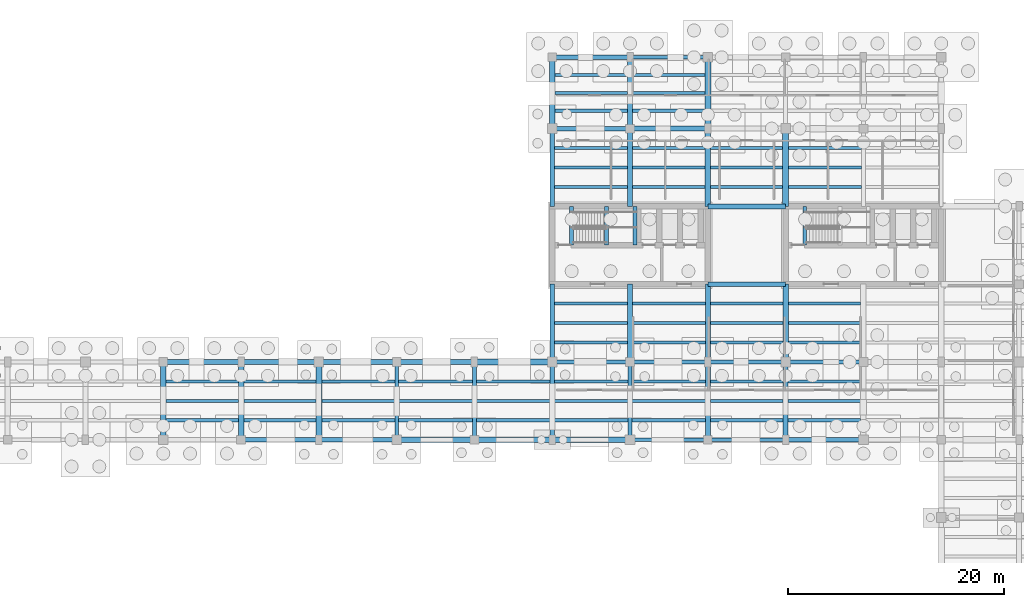
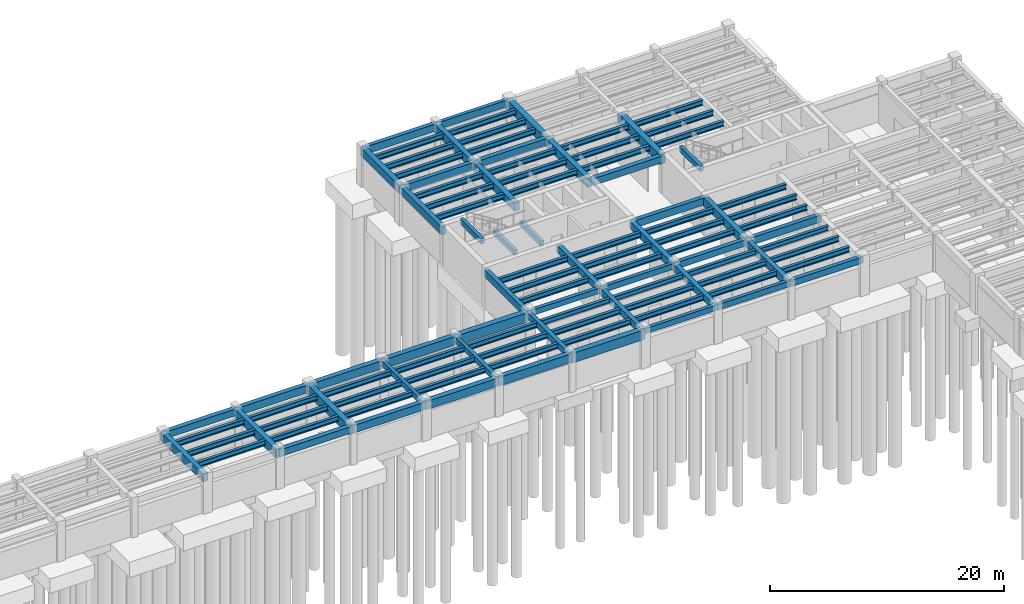
# One storey, part 8 of 22: 104 beams.
"""IFC4 building model written with IfcOpenShell, lengths in metres."""

from ifc_helpers import new_model, si_unit, direction, frame, origin, origin_2d, place, context, subcontext, project, spatial, rectangle, i_section, extrude, material, material_profile, profile_set, type_object, element, save


model = new_model("IFC4")

# Units and contexts
model_context = context("Model", 3, precision=1e-05, world=origin(), true_north=direction((0.0, 1.0)))
body_context = subcontext(model_context, "Body", "Model", "MODEL_VIEW")
ifc_project = project(units=[si_unit("LENGTHUNIT", "METRE"), si_unit("AREAUNIT", "SQUARE_METRE"), si_unit("VOLUMEUNIT", "CUBIC_METRE"), si_unit("PLANEANGLEUNIT", "RADIAN"), si_unit("MASSUNIT", "GRAM", prefix="KILO")], contexts=[model_context])

# Site, building, storey
site_placement = place(None, origin())
site = spatial("IfcSite", under=ifc_project, at=site_placement, CompositionType="ELEMENT")
building_placement = place(site_placement, origin())
building = spatial("IfcBuilding", under=site, at=building_placement, Name="Mithqara Police Headquarters", CompositionType="ELEMENT")
storey_placement = place(building_placement, frame((0.0, 0.0, -8.39990234375)))
storey = spatial("IfcBuildingStorey", under=building, at=storey_placement, Name="B2", CompositionType="ELEMENT", Elevation=-8.39990234375)

# Beams
ifc_material_1 = material(Name="Steel S355JR", Category="steel")
ifc_material_profile_1 = material_profile(ifc_material_1, i_section(OverallWidth=0.300048828125, OverallDepth=0.550048828125, WebThickness=0.014892578125, FlangeThickness=0.029052734375, FilletRadius=0.027099609375, at=origin_2d()), Name="HEB 550")
ifc_profile_set_1 = profile_set([ifc_material_profile_1], Name="Steel S355JR")
beam_type_1 = type_object("IfcBeamType", Name="BEAM HEB550", PredefinedType="BEAM", material=ifc_profile_set_1)
for number, where, z_axis, x_axis, name in (
    (1, (72.85009765625, 80.39990234375, 3.625), (1.0, 0.0, 0.0), (0.0, 1.0, 0.0), "B2 Composite Steel Joist 11-12/M.1"),
    (2, (72.85009765625, 82.199951171875, 3.625), (1.0, 0.0, 0.0), (0.0, 1.0, 0.0), "B2 Composite Steel Joist 11-12/M.2"),
    (3, (72.85009765625, 84.0, 3.625), (1.0, 0.0, 0.0), (0.0, 1.0, 0.0), "B2 Composite Steel Joist 11-12/M.3"),
):
    element("IfcBeam", number, at=place(storey_placement, frame(where, z_axis=z_axis, x_axis=x_axis)), inside=storey, type_object=beam_type_1, Name=name, PredefinedType="BEAM", context=body_context, shape_type="SweptSolid", body=[
        extrude(i_section(OverallWidth=0.300048828125, OverallDepth=0.550048828125, WebThickness=0.014892578125, FlangeThickness=0.029052734375, FilletRadius=0.027099609375, at=origin_2d()), origin(), (0.0, 0.0, 1.0), 6.699951171875),
    ])
for number, where, z_axis, x_axis, name in (
    (4, (80.050048828125, 80.39990234375, 3.625), (1.0, 0.0, 0.0), (0.0, 1.0, 0.0), "B2 Composite Steel Joist 12-13/M.1"),
    (5, (80.050048828125, 82.199951171875, 3.625), (1.0, 0.0, 0.0), (0.0, 1.0, 0.0), "B2 Composite Steel Joist 12-13/M.2"),
    (6, (80.050048828125, 84.0, 3.625), (1.0, 0.0, 0.0), (0.0, 1.0, 0.0), "B2 Composite Steel Joist 12-13/M.3"),
):
    element("IfcBeam", number, at=place(storey_placement, frame(where, z_axis=z_axis, x_axis=x_axis)), inside=storey, type_object=beam_type_1, Name=name, PredefinedType="BEAM", context=body_context, shape_type="SweptSolid", body=[
        extrude(i_section(OverallWidth=0.300048828125, OverallDepth=0.550048828125, WebThickness=0.014892578125, FlangeThickness=0.029052734375, FilletRadius=0.027099609375, at=origin_2d()), origin(), (0.0, 0.0, 1.0), 6.675048828125),
    ])
for number, where, z_axis, x_axis, name in (
    (7, (87.27490234375, 80.39990234375, 3.625), (1.0, 0.0, 0.0), (0.0, 1.0, 0.0), "B2 Composite Steel Joist 13-14/M.1"),
    (8, (87.27490234375, 82.199951171875, 3.625), (1.0, 0.0, 0.0), (0.0, 1.0, 0.0), "B2 Composite Steel Joist 13-14/M.2"),
    (9, (87.27490234375, 84.0, 3.625), (1.0, 0.0, 0.0), (0.0, 1.0, 0.0), "B2 Composite Steel Joist 13-14/M.3"),
):
    element("IfcBeam", number, at=place(storey_placement, frame(where, z_axis=z_axis, x_axis=x_axis)), inside=storey, type_object=beam_type_1, Name=name, PredefinedType="BEAM", context=body_context, shape_type="SweptSolid", body=[
        extrude(i_section(OverallWidth=0.300048828125, OverallDepth=0.550048828125, WebThickness=0.014892578125, FlangeThickness=0.029052734375, FilletRadius=0.027099609375, at=origin_2d()), origin(), (0.0, 0.0, 1.0), 6.75),
    ])
for number, where, z_axis, x_axis, name in (
    (10, (94.375, 80.39990234375, 3.625), (1.0, 0.0, 0.0), (0.0, 1.0, 0.0), "B2 Composite Steel Joist 14-15/M.1"),
    (11, (94.375, 82.199951171875, 3.625), (1.0, 0.0, 0.0), (0.0, 1.0, 0.0), "B2 Composite Steel Joist 14-15/M.2"),
    (12, (94.375, 84.0, 3.625), (1.0, 0.0, 0.0), (0.0, 1.0, 0.0), "B2 Composite Steel Joist 14-15/M.3"),
):
    element("IfcBeam", number, at=place(storey_placement, frame(where, z_axis=z_axis, x_axis=x_axis)), inside=storey, type_object=beam_type_1, Name=name, PredefinedType="BEAM", context=body_context, shape_type="SweptSolid", body=[
        extrude(i_section(OverallWidth=0.300048828125, OverallDepth=0.550048828125, WebThickness=0.014892578125, FlangeThickness=0.029052734375, FilletRadius=0.027099609375, at=origin_2d()), origin(), (0.0, 0.0, 1.0), 6.85009765625),
    ])
for number, where, z_axis, x_axis, name in (
    (13, (101.574951171875, 80.39990234375, 3.625), (1.0, 0.0, 0.0), (0.0, 1.0, 0.0), "B2 Composite Steel Joist 15-16/M.1"),
    (14, (101.574951171875, 82.199951171875, 3.625), (1.0, 0.0, 0.0), (0.0, 1.0, 0.0), "B2 Composite Steel Joist 15-16/M.2"),
    (15, (101.574951171875, 84.0, 3.625), (1.0, 0.0, 0.0), (0.0, 1.0, 0.0), "B2 Composite Steel Joist 15-16/M.3"),
):
    element("IfcBeam", number, at=place(storey_placement, frame(where, z_axis=z_axis, x_axis=x_axis)), inside=storey, type_object=beam_type_1, Name=name, PredefinedType="BEAM", context=body_context, shape_type="SweptSolid", body=[
        extrude(i_section(OverallWidth=0.300048828125, OverallDepth=0.550048828125, WebThickness=0.014892578125, FlangeThickness=0.029052734375, FilletRadius=0.027099609375, at=origin_2d()), origin(), (0.0, 0.0, 1.0), 6.824951171875),
    ])
for number, where, z_axis, x_axis, name in (
    (16, (108.800048828125, 80.39990234375, 3.625), (1.0, 0.0, 0.0), (0.0, 1.0, 0.0), "B2 Composite Steel Joist 16-17/M.1"),
    (17, (108.800048828125, 82.199951171875, 3.625), (1.0, 0.0, 0.0), (0.0, 1.0, 0.0), "B2 Composite Steel Joist 16-17/M.2"),
    (18, (108.800048828125, 84.0, 3.625), (1.0, 0.0, 0.0), (0.0, 1.0, 0.0), "B2 Composite Steel Joist 16-17/M.3"),
):
    element("IfcBeam", number, at=place(storey_placement, frame(where, z_axis=z_axis, x_axis=x_axis)), inside=storey, type_object=beam_type_1, Name=name, PredefinedType="BEAM", context=body_context, shape_type="SweptSolid", body=[
        extrude(i_section(OverallWidth=0.300048828125, OverallDepth=0.550048828125, WebThickness=0.014892578125, FlangeThickness=0.029052734375, FilletRadius=0.027099609375, at=origin_2d()), origin(), (0.0, 0.0, 1.0), 6.800048828125),
    ])
for number, where, z_axis, x_axis, name in (
    (19, (108.800048828125, 87.60009765625, 3.625), (1.0, 0.0, 0.0), (0.0, 1.0, 0.0), "B2 Composite Steel Joist 16-17/N.1"),
    (20, (108.800048828125, 89.39990234375, 3.625), (1.0, 0.0, 0.0), (0.0, 1.0, 0.0), "B2 Composite Steel Joist 16-17/N.2"),
    (21, (108.800048828125, 91.199951171875, 3.625), (1.0, 0.0, 0.0), (0.0, 1.0, 0.0), "B2 Composite Steel Joist 16-17/N.3"),
):
    element("IfcBeam", number, at=place(storey_placement, frame(where, z_axis=z_axis, x_axis=x_axis)), inside=storey, type_object=beam_type_1, Name=name, PredefinedType="BEAM", context=body_context, shape_type="SweptSolid", body=[
        extrude(i_section(OverallWidth=0.300048828125, OverallDepth=0.550048828125, WebThickness=0.014892578125, FlangeThickness=0.029052734375, FilletRadius=0.027099609375, at=origin_2d()), origin(), (0.0, 0.0, 1.0), 6.77490234375),
    ])
for number, where, z_axis, x_axis, name in (
    (22, (108.824951171875, 102.0, 3.625), (1.0, 0.0, 0.0), (0.0, 1.0, 0.0), "B2 Composite Steel Joist 16-17/Q.1"),
    (23, (108.824951171875, 103.800048828125, 3.625), (1.0, 0.0, 0.0), (0.0, 1.0, 0.0), "B2 Composite Steel Joist 16-17/Q.2"),
    (24, (108.824951171875, 105.60009765625, 3.625), (1.0, 0.0, 0.0), (0.0, 1.0, 0.0), "B2 Composite Steel Joist 16-17/Q.3"),
):
    element("IfcBeam", number, at=place(storey_placement, frame(where, z_axis=z_axis, x_axis=x_axis)), inside=storey, type_object=beam_type_1, Name=name, PredefinedType="BEAM", context=body_context, shape_type="SweptSolid", body=[
        extrude(i_section(OverallWidth=0.300048828125, OverallDepth=0.550048828125, WebThickness=0.014892578125, FlangeThickness=0.029052734375, FilletRadius=0.027099609375, at=origin_2d()), origin(), (0.0, 0.0, 1.0), 6.72509765625),
    ])
for number, where, z_axis, x_axis, name in (
    (25, (108.85009765625, 109.050048828125, 3.625), (1.0, 0.0, 0.0), (0.0, 1.0, 0.0), "B2 Composite Steel Joist 16-17/R.1"),
    (26, (108.85009765625, 110.699951171875, 3.625), (1.0, 0.0, 0.0), (0.0, 1.0, 0.0), "B2 Composite Steel Joist 16-17/R.2"),
    (27, (108.85009765625, 112.35009765625, 3.625), (1.0, 0.0, 0.0), (0.0, 1.0, 0.0), "B2 Composite Steel Joist 16-17/R.3"),
):
    element("IfcBeam", number, at=place(storey_placement, frame(where, z_axis=z_axis, x_axis=x_axis)), inside=storey, type_object=beam_type_1, Name=name, PredefinedType="BEAM", context=body_context, shape_type="SweptSolid", body=[
        extrude(i_section(OverallWidth=0.300048828125, OverallDepth=0.550048828125, WebThickness=0.014892578125, FlangeThickness=0.029052734375, FilletRadius=0.027099609375, at=origin_2d()), origin(), (0.0, 0.0, 1.0), 6.699951171875),
    ])
for number, where, z_axis, x_axis, name in (
    (28, (116.0, 80.39990234375, 3.625), (1.0, 0.0, 0.0), (0.0, 1.0, 0.0), "B2 Composite Steel Joist 17-18/M.1"),
    (29, (116.0, 82.199951171875, 3.625), (1.0, 0.0, 0.0), (0.0, 1.0, 0.0), "B2 Composite Steel Joist 17-18/M.2"),
    (30, (116.0, 84.0, 3.625), (1.0, 0.0, 0.0), (0.0, 1.0, 0.0), "B2 Composite Steel Joist 17-18/M.3"),
):
    element("IfcBeam", number, at=place(storey_placement, frame(where, z_axis=z_axis, x_axis=x_axis)), inside=storey, type_object=beam_type_1, Name=name, PredefinedType="BEAM", context=body_context, shape_type="SweptSolid", body=[
        extrude(i_section(OverallWidth=0.300048828125, OverallDepth=0.550048828125, WebThickness=0.014892578125, FlangeThickness=0.029052734375, FilletRadius=0.027099609375, at=origin_2d()), origin(), (0.0, 0.0, 1.0), 6.77490234375),
    ])
for number, where, z_axis, x_axis, name in (
    (31, (116.02490234375, 87.60009765625, 3.625), (1.0, 0.0, 0.0), (0.0, 1.0, 0.0), "B2 Composite Steel Joist 17-18/N.1"),
    (32, (116.02490234375, 89.39990234375, 3.625), (1.0, 0.0, 0.0), (0.0, 1.0, 0.0), "B2 Composite Steel Joist 17-18/N.2"),
    (33, (116.02490234375, 91.199951171875, 3.625), (1.0, 0.0, 0.0), (0.0, 1.0, 0.0), "B2 Composite Steel Joist 17-18/N.3"),
):
    element("IfcBeam", number, at=place(storey_placement, frame(where, z_axis=z_axis, x_axis=x_axis)), inside=storey, type_object=beam_type_1, Name=name, PredefinedType="BEAM", context=body_context, shape_type="SweptSolid", body=[
        extrude(i_section(OverallWidth=0.300048828125, OverallDepth=0.550048828125, WebThickness=0.014892578125, FlangeThickness=0.029052734375, FilletRadius=0.027099609375, at=origin_2d()), origin(), (0.0, 0.0, 1.0), 6.75),
    ])
for number, where, z_axis, x_axis, name in (
    (34, (116.050048828125, 102.0, 3.625), (1.0, 0.0, 0.0), (0.0, 1.0, 0.0), "B2 Composite Steel Joist 17-18/Q.1"),
    (35, (116.050048828125, 103.800048828125, 3.625), (1.0, 0.0, 0.0), (0.0, 1.0, 0.0), "B2 Composite Steel Joist 17-18/Q.2"),
    (36, (116.050048828125, 105.60009765625, 3.625), (1.0, 0.0, 0.0), (0.0, 1.0, 0.0), "B2 Composite Steel Joist 17-18/Q.3"),
):
    element("IfcBeam", number, at=place(storey_placement, frame(where, z_axis=z_axis, x_axis=x_axis)), inside=storey, type_object=beam_type_1, Name=name, PredefinedType="BEAM", context=body_context, shape_type="SweptSolid", body=[
        extrude(i_section(OverallWidth=0.300048828125, OverallDepth=0.550048828125, WebThickness=0.014892578125, FlangeThickness=0.029052734375, FilletRadius=0.027099609375, at=origin_2d()), origin(), (0.0, 0.0, 1.0), 6.699951171875),
    ])
for number, where, z_axis, x_axis, name in (
    (37, (116.050048828125, 109.050048828125, 3.625), (1.0, 0.0, 0.0), (0.0, 1.0, 0.0), "B2 Composite Steel Joist 17-18/R.1"),
    (38, (116.050048828125, 110.699951171875, 3.625), (1.0, 0.0, 0.0), (0.0, 1.0, 0.0), "B2 Composite Steel Joist 17-18/R.2"),
    (39, (116.050048828125, 112.35009765625, 3.625), (1.0, 0.0, 0.0), (0.0, 1.0, 0.0), "B2 Composite Steel Joist 17-18/R.3"),
):
    element("IfcBeam", number, at=place(storey_placement, frame(where, z_axis=z_axis, x_axis=x_axis)), inside=storey, type_object=beam_type_1, Name=name, PredefinedType="BEAM", context=body_context, shape_type="SweptSolid", body=[
        extrude(i_section(OverallWidth=0.300048828125, OverallDepth=0.550048828125, WebThickness=0.014892578125, FlangeThickness=0.029052734375, FilletRadius=0.027099609375, at=origin_2d()), origin(), (0.0, 0.0, 1.0), 6.675048828125),
    ])
for number, where, z_axis, x_axis, name in (
    (40, (123.22509765625, 80.39990234375, 3.625), (1.0, 0.0, 0.0), (0.0, 1.0, 0.0), "B2 Composite Steel Joist 18-19/M.1"),
    (41, (123.22509765625, 82.199951171875, 3.625), (1.0, 0.0, 0.0), (0.0, 1.0, 0.0), "B2 Composite Steel Joist 18-19/M.2"),
    (42, (123.22509765625, 84.0, 3.625), (1.0, 0.0, 0.0), (0.0, 1.0, 0.0), "B2 Composite Steel Joist 18-19/M.3"),
):
    element("IfcBeam", number, at=place(storey_placement, frame(where, z_axis=z_axis, x_axis=x_axis)), inside=storey, type_object=beam_type_1, Name=name, PredefinedType="BEAM", context=body_context, shape_type="SweptSolid", body=[
        extrude(i_section(OverallWidth=0.300048828125, OverallDepth=0.550048828125, WebThickness=0.014892578125, FlangeThickness=0.029052734375, FilletRadius=0.027099609375, at=origin_2d()), origin(), (0.0, 0.0, 1.0), 6.75),
    ])
for number, where, z_axis, x_axis, name in (
    (43, (123.22509765625, 87.60009765625, 3.625), (1.0, 0.0, 0.0), (0.0, 1.0, 0.0), "B2 Composite Steel Joist 18-19/N.1"),
    (44, (123.22509765625, 89.39990234375, 3.625), (1.0, 0.0, 0.0), (0.0, 1.0, 0.0), "B2 Composite Steel Joist 18-19/N.2"),
    (45, (123.22509765625, 91.199951171875, 3.625), (1.0, 0.0, 0.0), (0.0, 1.0, 0.0), "B2 Composite Steel Joist 18-19/N.3"),
):
    element("IfcBeam", number, at=place(storey_placement, frame(where, z_axis=z_axis, x_axis=x_axis)), inside=storey, type_object=beam_type_1, Name=name, PredefinedType="BEAM", context=body_context, shape_type="SweptSolid", body=[
        extrude(i_section(OverallWidth=0.300048828125, OverallDepth=0.550048828125, WebThickness=0.014892578125, FlangeThickness=0.029052734375, FilletRadius=0.027099609375, at=origin_2d()), origin(), (0.0, 0.0, 1.0), 6.724853515625),
    ])
for number, where, z_axis, x_axis, name in (
    (46, (123.25, 102.0, 3.625), (1.0, 0.0, 0.0), (0.0, 1.0, 0.0), "B2 Composite Steel Joist 18-19/Q.1"),
    (47, (123.25, 103.800048828125, 3.625), (1.0, 0.0, 0.0), (0.0, 1.0, 0.0), "B2 Composite Steel Joist 18-19/Q.2"),
    (48, (123.25, 105.60009765625, 3.625), (1.0, 0.0, 0.0), (0.0, 1.0, 0.0), "B2 Composite Steel Joist 18-19/Q.3"),
):
    element("IfcBeam", number, at=place(storey_placement, frame(where, z_axis=z_axis, x_axis=x_axis)), inside=storey, type_object=beam_type_1, Name=name, PredefinedType="BEAM", context=body_context, shape_type="SweptSolid", body=[
        extrude(i_section(OverallWidth=0.300048828125, OverallDepth=0.550048828125, WebThickness=0.014892578125, FlangeThickness=0.029052734375, FilletRadius=0.027099609375, at=origin_2d()), origin(), (0.0, 0.0, 1.0), 6.675048828125),
    ])
for number, where, z_axis, x_axis, name in (
    (49, (130.425048828125, 80.39990234375, 3.625), (1.0, 0.0, 0.0), (0.0, 1.0, 0.0), "B2 Composite Steel Joist 19-20/M.1"),
    (50, (130.425048828125, 82.199951171875, 3.625), (1.0, 0.0, 0.0), (0.0, 1.0, 0.0), "B2 Composite Steel Joist 19-20/M.2"),
    (51, (130.425048828125, 84.0, 3.625), (1.0, 0.0, 0.0), (0.0, 1.0, 0.0), "B2 Composite Steel Joist 19-20/M.3"),
):
    element("IfcBeam", number, at=place(storey_placement, frame(where, z_axis=z_axis, x_axis=x_axis)), inside=storey, type_object=beam_type_1, Name=name, PredefinedType="BEAM", context=body_context, shape_type="SweptSolid", body=[
        extrude(i_section(OverallWidth=0.300048828125, OverallDepth=0.550048828125, WebThickness=0.014892578125, FlangeThickness=0.029052734375, FilletRadius=0.027099609375, at=origin_2d()), origin(), (0.0, 0.0, 1.0), 6.724853515625),
    ])
for number, where, z_axis, x_axis, name in (
    (52, (130.449951171875, 87.60009765625, 3.625), (1.0, 0.0, 0.0), (0.0, 1.0, 0.0), "B2 Composite Steel Joist 19-20/N.1"),
    (53, (130.449951171875, 89.39990234375, 3.625), (1.0, 0.0, 0.0), (0.0, 1.0, 0.0), "B2 Composite Steel Joist 19-20/N.2"),
    (54, (130.449951171875, 91.199951171875, 3.625), (1.0, 0.0, 0.0), (0.0, 1.0, 0.0), "B2 Composite Steel Joist 19-20/N.3"),
):
    element("IfcBeam", number, at=place(storey_placement, frame(where, z_axis=z_axis, x_axis=x_axis)), inside=storey, type_object=beam_type_1, Name=name, PredefinedType="BEAM", context=body_context, shape_type="SweptSolid", body=[
        extrude(i_section(OverallWidth=0.300048828125, OverallDepth=0.550048828125, WebThickness=0.014892578125, FlangeThickness=0.029052734375, FilletRadius=0.027099609375, at=origin_2d()), origin(), (0.0, 0.0, 1.0), 6.699951171875),
    ])
for number, where, z_axis, x_axis, name in (
    (55, (130.47509765625, 102.0, 3.625), (1.0, 0.0, 0.0), (0.0, 1.0, 0.0), "B2 Composite Steel Joist 19-20/Q.1"),
    (56, (130.47509765625, 103.800048828125, 3.625), (1.0, 0.0, 0.0), (0.0, 1.0, 0.0), "B2 Composite Steel Joist 19-20/Q.2"),
    (57, (130.47509765625, 105.60009765625, 3.625), (1.0, 0.0, 0.0), (0.0, 1.0, 0.0), "B2 Composite Steel Joist 19-20/Q.3"),
):
    element("IfcBeam", number, at=place(storey_placement, frame(where, z_axis=z_axis, x_axis=x_axis)), inside=storey, type_object=beam_type_1, Name=name, PredefinedType="BEAM", context=body_context, shape_type="SweptSolid", body=[
        extrude(i_section(OverallWidth=0.300048828125, OverallDepth=0.550048828125, WebThickness=0.014892578125, FlangeThickness=0.029052734375, FilletRadius=0.027099609375, at=origin_2d()), origin(), (0.0, 0.0, 1.0), 6.75),
    ])
ifc_material_2 = material(Name="Concrete C40/50", Category="concrete")
ifc_material_profile_2 = material_profile(ifc_material_2, rectangle(XDim=0.35009765625, YDim=0.550048828125, at=origin_2d()), Name="RC 350x550")
ifc_profile_set_2 = profile_set([ifc_material_profile_2], Name="Concrete C40/50")
beam_type_2 = type_object("IfcBeamType", Name="BEAM RC350X550", PredefinedType="BEAM", material=ifc_profile_set_2)
for number, where, z_axis, x_axis, name in (
    (58, (94.199951171875, 78.60009765625, 3.625), (0.0, 1.0, 0.0), (-1.0, 0.0, 0.0), "B2 Girder 14/M-N"),
    (59, (108.60009765625, 85.800048828125, 3.625), (1.0, 0.0, 0.0), (0.0, 1.0, 0.0), "B2 Girder 16-17/N"),
    (60, (115.800048828125, 78.60009765625, 3.625), (1.0, 0.0, 0.0), (0.0, 1.0, 0.0), "B2 Girder 17-18/M"),
):
    element("IfcBeam", number, at=place(storey_placement, frame(where, z_axis=z_axis, x_axis=x_axis)), inside=storey, type_object=beam_type_2, Name=name, PredefinedType="BEAM", context=body_context, shape_type="SweptSolid", body=[
        extrude(rectangle(XDim=0.35009765625, YDim=0.550048828125, at=origin_2d()), origin(), (0.0, 0.0, 1.0), 7.199951171875),
    ])
for number, where, z_axis, x_axis, name in (
    (61, (113.6298828125, 96.6201171875, 1.635009765625), (0.0, 1.0, 0.0), (-1.0, 0.0, 0.0), "B2 ST-01 Half-Landing Bearer LF"),
    (62, (116.25, 96.6201171875, 1.635009765625), (0.0, 1.0, 0.0), (-1.0, 0.0, 0.0), "B2 ST-01 Half-Landing Bearer LB"),
    (63, (110.376953125, 96.6201171875, 3.9248046875), (0.0, 1.0, 0.0), (-1.0, 0.0, 0.0), "B2 ST-01 Stairwell Trimmer Beam"),
    (64, (131.97705078125, 96.6201171875, 3.9248046875), (0.0, 1.0, 0.0), (-1.0, 0.0, 0.0), "B2 ST-02 Stairwell Trimmer Beam"),
):
    element("IfcBeam", number, at=place(storey_placement, frame(where, z_axis=z_axis, x_axis=x_axis)), inside=storey, type_object=beam_type_2, Name=name, PredefinedType="BEAM", context=body_context, shape_type="SweptSolid", body=[
        extrude(rectangle(XDim=0.35009765625, YDim=0.550048828125, at=origin_2d()), origin(), (0.0, 0.0, 1.0), 3.579833984375),
    ])
ifc_material_profile_3 = material_profile(ifc_material_2, rectangle(XDim=0.35009765625, YDim=0.60009765625, at=origin_2d()), Name="RC 350x600")
ifc_profile_set_3 = profile_set([ifc_material_profile_3], Name="Concrete C40/50")
beam_type_3 = type_object("IfcBeamType", Name="BEAM RC350X600", PredefinedType="BEAM", material=ifc_profile_set_3)
for number, where, z_axis, x_axis, name in (
    (65, (101.39990234375, 78.60009765625, 3.599853515625), (0.0, 1.0, 0.0), (-1.0, 0.0, 0.0), "B2 Girder 15/M-N"),
    (66, (115.800048828125, 85.800048828125, 3.599853515625), (1.0, 0.0, 0.0), (0.0, 1.0, 0.0), "B2 Girder 17-18/N"),
    (67, (123.0, 78.60009765625, 3.599853515625), (1.0, 0.0, 0.0), (0.0, 1.0, 0.0), "B2 Girder 18-19/M"),
):
    element("IfcBeam", number, at=place(storey_placement, frame(where, z_axis=z_axis, x_axis=x_axis)), inside=storey, type_object=beam_type_3, Name=name, PredefinedType="BEAM", context=body_context, shape_type="SweptSolid", body=[
        extrude(rectangle(XDim=0.35009765625, YDim=0.60009765625, at=origin_2d()), origin(), (0.0, 0.0, 1.0), 7.199951171875),
    ])
ifc_material_profile_4 = material_profile(ifc_material_2, rectangle(XDim=0.39990234375, YDim=0.64990234375, at=origin_2d()), Name="RC 400x650")
ifc_profile_set_4 = profile_set([ifc_material_profile_4], Name="Concrete C40/50")
beam_type_4 = type_object("IfcBeamType", Name="BEAM RC400X650", PredefinedType="BEAM", material=ifc_profile_set_4)
for number, where, z_axis, x_axis, name in (
    (68, (108.60009765625, 78.60009765625, 3.574951171875), (0.0, 1.0, 0.0), (-1.0, 0.0, 0.0), "B2 Girder 16/M-N"),
    (69, (123.0, 85.800048828125, 3.574951171875), (1.0, 0.0, 0.0), (0.0, 1.0, 0.0), "B2 Girder 18-19/N"),
    (70, (130.199951171875, 78.60009765625, 3.574951171875), (1.0, 0.0, 0.0), (0.0, 1.0, 0.0), "B2 Girder 19-20/M"),
):
    element("IfcBeam", number, at=place(storey_placement, frame(where, z_axis=z_axis, x_axis=x_axis)), inside=storey, type_object=beam_type_4, Name=name, PredefinedType="BEAM", context=body_context, shape_type="SweptSolid", body=[
        extrude(rectangle(XDim=0.39990234375, YDim=0.64990234375, at=origin_2d()), origin(), (0.0, 0.0, 1.0), 7.199951171875),
    ])
ifc_material_profile_5 = material_profile(ifc_material_2, rectangle(XDim=0.39990234375, YDim=0.75, at=origin_2d()), Name="RC 400x750")
ifc_profile_set_5 = profile_set([ifc_material_profile_5], Name="Concrete C40/50")
beam_type_5 = type_object("IfcBeamType", Name="BEAM RC400X750", PredefinedType="BEAM", material=ifc_profile_set_5)
for number, where, z_axis, x_axis, name in (
    (71, (108.60009765625, 85.800048828125, 3.52490234375), (0.0, 1.0, 0.0), (-1.0, 0.0, 0.0), "B2 Girder 16/N-P"),
    (72, (108.60009765625, 107.39990234375, 3.52490234375), (1.0, 0.0, 0.0), (0.0, 1.0, 0.0), "B2 Girder 16-17/R"),
    (73, (115.800048828125, 78.60009765625, 3.52490234375), (0.0, 1.0, 0.0), (-1.0, 0.0, 0.0), "B2 Girder 17/M-N"),
    (74, (123.0, 93.0, 3.52490234375), (1.0, 0.0, 0.0), (0.0, 1.0, 0.0), "B2 Girder 18-19/P"),
    (75, (130.199951171875, 85.800048828125, 3.52490234375), (1.0, 0.0, 0.0), (0.0, 1.0, 0.0), "B2 Girder 19-20/N"),
):
    element("IfcBeam", number, at=place(storey_placement, frame(where, z_axis=z_axis, x_axis=x_axis)), inside=storey, type_object=beam_type_5, Name=name, PredefinedType="BEAM", context=body_context, shape_type="SweptSolid", body=[
        extrude(rectangle(XDim=0.39990234375, YDim=0.75, at=origin_2d()), origin(), (0.0, 0.0, 1.0), 7.199951171875),
    ])
ifc_material_profile_6 = material_profile(ifc_material_2, rectangle(XDim=0.449951171875, YDim=0.699951171875, at=origin_2d()), Name="RC 450x700")
ifc_profile_set_6 = profile_set([ifc_material_profile_6], Name="Concrete C40/50")
beam_type_6 = type_object("IfcBeamType", Name="BEAM RC450X700", PredefinedType="BEAM", material=ifc_profile_set_6)
for number, where, z_axis, x_axis, name in (
    (76, (72.60009765625, 85.800048828125, 3.5498046875), (1.0, 0.0, 0.0), (0.0, 1.0, 0.0), "B2 Girder 11-12/N"),
    (77, (79.800048828125, 78.60009765625, 3.5498046875), (1.0, 0.0, 0.0), (0.0, 1.0, 0.0), "B2 Girder 12-13/M"),
    (78, (115.800048828125, 85.800048828125, 3.5498046875), (0.0, 1.0, 0.0), (-1.0, 0.0, 0.0), "B2 Girder 17/N-P"),
    (79, (115.800048828125, 107.39990234375, 3.5498046875), (1.0, 0.0, 0.0), (0.0, 1.0, 0.0), "B2 Girder 17-18/R"),
    (80, (123.0, 78.60009765625, 3.5498046875), (0.0, 1.0, 0.0), (-1.0, 0.0, 0.0), "B2 Girder 18/M-N"),
    (81, (123.0, 100.199951171875, 3.5498046875), (1.0, 0.0, 0.0), (0.0, 1.0, 0.0), "B2 Girder 18-19/Q"),
):
    element("IfcBeam", number, at=place(storey_placement, frame(where, z_axis=z_axis, x_axis=x_axis)), inside=storey, type_object=beam_type_6, Name=name, PredefinedType="BEAM", context=body_context, shape_type="SweptSolid", body=[
        extrude(rectangle(XDim=0.449951171875, YDim=0.699951171875, at=origin_2d()), origin(), (0.0, 0.0, 1.0), 7.199951171875),
    ])
ifc_material_profile_7 = material_profile(ifc_material_2, rectangle(XDim=0.449951171875, YDim=0.800048828125, at=origin_2d()), Name="RC 450x800")
ifc_profile_set_7 = profile_set([ifc_material_profile_7], Name="Concrete C40/50")
beam_type_7 = type_object("IfcBeamType", Name="BEAM RC450X800", PredefinedType="BEAM", material=ifc_profile_set_7)
for number, where, z_axis, x_axis, name in (
    (82, (79.800048828125, 85.800048828125, 3.5), (1.0, 0.0, 0.0), (0.0, 1.0, 0.0), "B2 Girder 12-13/N"),
    (83, (87.0, 78.60009765625, 3.5), (1.0, 0.0, 0.0), (0.0, 1.0, 0.0), "B2 Girder 13-14/M"),
    (84, (108.60009765625, 100.199951171875, 3.5), (0.0, 1.0, 0.0), (-1.0, 0.0, 0.0), "B2 Girder 16/Q-R"),
    (85, (123.0, 85.800048828125, 3.5), (0.0, 1.0, 0.0), (-1.0, 0.0, 0.0), "B2 Girder 18/N-P"),
    (86, (130.199951171875, 78.60009765625, 3.5), (0.0, 1.0, 0.0), (-1.0, 0.0, 0.0), "B2 Girder 19/M-N"),
):
    element("IfcBeam", number, at=place(storey_placement, frame(where, z_axis=z_axis, x_axis=x_axis)), inside=storey, type_object=beam_type_7, Name=name, PredefinedType="BEAM", context=body_context, shape_type="SweptSolid", body=[
        extrude(rectangle(XDim=0.449951171875, YDim=0.800048828125, at=origin_2d()), origin(), (0.0, 0.0, 1.0), 7.199951171875),
    ])
ifc_material_profile_8 = material_profile(ifc_material_2, rectangle(XDim=0.5, YDim=0.85009765625, at=origin_2d()), Name="RC 500x850")
ifc_profile_set_8 = profile_set([ifc_material_profile_8], Name="Concrete C40/50")
beam_type_8 = type_object("IfcBeamType", Name="BEAM RC500X850", PredefinedType="BEAM", material=ifc_profile_set_8)
for number, where, z_axis, x_axis, name in (
    (87, (72.60009765625, 78.60009765625, 3.474853515625), (0.0, 1.0, 0.0), (-1.0, 0.0, 0.0), "B2 Girder 11/M-N"),
    (88, (87.0, 85.800048828125, 3.474853515625), (1.0, 0.0, 0.0), (0.0, 1.0, 0.0), "B2 Girder 13-14/N"),
    (89, (94.199951171875, 78.60009765625, 3.474853515625), (1.0, 0.0, 0.0), (0.0, 1.0, 0.0), "B2 Girder 14-15/M"),
):
    element("IfcBeam", number, at=place(storey_placement, frame(where, z_axis=z_axis, x_axis=x_axis)), inside=storey, type_object=beam_type_8, Name=name, PredefinedType="BEAM", context=body_context, shape_type="SweptSolid", body=[
        extrude(rectangle(XDim=0.5, YDim=0.85009765625, at=origin_2d()), origin(), (0.0, 0.0, 1.0), 7.199951171875),
    ])
beam_1_placement = place(storey_placement, frame((108.60009765625, 107.39990234375, 3.474853515625), z_axis=(0.0, 1.0, 0.0), x_axis=(-1.0, 0.0, 0.0)))
element("IfcBeam", 90, at=beam_1_placement, inside=storey, type_object=beam_type_8, Name="B2 Girder 16/R-S", PredefinedType="BEAM", context=body_context, shape_type="SweptSolid", body=[
    extrude(rectangle(XDim=0.5, YDim=0.85009765625, at=origin_2d()), origin(), (0.0, 0.0, 1.0), 6.60009765625),
])
for number, where, z_axis, x_axis, name in (
    (91, (115.800048828125, 100.199951171875, 3.474853515625), (0.0, 1.0, 0.0), (-1.0, 0.0, 0.0), "B2 Girder 17/Q-R"),
    (92, (130.199951171875, 85.800048828125, 3.474853515625), (0.0, 1.0, 0.0), (-1.0, 0.0, 0.0), "B2 Girder 19/N-P"),
):
    element("IfcBeam", number, at=place(storey_placement, frame(where, z_axis=z_axis, x_axis=x_axis)), inside=storey, type_object=beam_type_8, Name=name, PredefinedType="BEAM", context=body_context, shape_type="SweptSolid", body=[
        extrude(rectangle(XDim=0.5, YDim=0.85009765625, at=origin_2d()), origin(), (0.0, 0.0, 1.0), 7.199951171875),
    ])
ifc_material_3 = material(Name="Concrete C50/60", Category="concrete")
ifc_material_profile_9 = material_profile(ifc_material_3, rectangle(XDim=0.5, YDim=0.89990234375, at=origin_2d()), Name="RC 500x900")
ifc_profile_set_9 = profile_set([ifc_material_profile_9], Name="Concrete C50/60")
beam_type_9 = type_object("IfcBeamType", Name="BEAM RC500X900", PredefinedType="BEAM", material=ifc_profile_set_9)
for number, where, z_axis, x_axis, name in (
    (93, (79.800048828125, 78.60009765625, 3.449951171875), (0.0, 1.0, 0.0), (-1.0, 0.0, 0.0), "B2 Girder 12/M-N"),
    (94, (94.199951171875, 85.800048828125, 3.449951171875), (1.0, 0.0, 0.0), (0.0, 1.0, 0.0), "B2 Girder 14-15/N"),
):
    element("IfcBeam", number, at=place(storey_placement, frame(where, z_axis=z_axis, x_axis=x_axis)), inside=storey, type_object=beam_type_9, Name=name, PredefinedType="BEAM", context=body_context, shape_type="SweptSolid", body=[
        extrude(rectangle(XDim=0.5, YDim=0.89990234375, at=origin_2d()), origin(), (0.0, 0.0, 1.0), 7.199951171875),
    ])
beam_2_placement = place(storey_placement, frame((101.39990234375, 78.60009765625, 3.449951171875), z_axis=(1.0, 0.0, 0.0), x_axis=(0.0, 1.0, 0.0)))
element("IfcBeam", 95, at=beam_2_placement, inside=storey, type_object=beam_type_9, Name="B2 Girder 15-16/M", PredefinedType="BEAM", context=body_context, shape_type="SweptSolid", body=[
    extrude(rectangle(XDim=0.5, YDim=0.89990234375, at=origin_2d()), origin(), (0.0, 0.0, 1.0), 7.2001953125),
])
beam_3_placement = place(storey_placement, frame((115.800048828125, 107.39990234375, 3.449951171875), z_axis=(0.0, 1.0, 0.0), x_axis=(-1.0, 0.0, 0.0)))
element("IfcBeam", 96, at=beam_3_placement, inside=storey, type_object=beam_type_9, Name="B2 Girder 17/R-S", PredefinedType="BEAM", context=body_context, shape_type="SweptSolid", body=[
    extrude(rectangle(XDim=0.5, YDim=0.89990234375, at=origin_2d()), origin(), (0.0, 0.0, 1.0), 6.60009765625),
])
beam_4_placement = place(storey_placement, frame((123.0, 100.199951171875, 3.449951171875), z_axis=(0.0, 1.0, 0.0), x_axis=(-1.0, 0.0, 0.0)))
element("IfcBeam", 97, at=beam_4_placement, inside=storey, type_object=beam_type_9, Name="B2 Girder 18/Q-R", PredefinedType="BEAM", context=body_context, shape_type="SweptSolid", body=[
    extrude(rectangle(XDim=0.5, YDim=0.89990234375, at=origin_2d()), origin(), (0.0, 0.0, 1.0), 7.199951171875),
])
ifc_material_profile_10 = material_profile(ifc_material_3, rectangle(XDim=0.550048828125, YDim=1.0, at=origin_2d()), Name="RC 550x1000")
ifc_profile_set_10 = profile_set([ifc_material_profile_10], Name="Concrete C50/60")
beam_type_10 = type_object("IfcBeamType", Name="BEAM RC550X1000", PredefinedType="BEAM", material=ifc_profile_set_10)
beam_5_placement = place(storey_placement, frame((87.0, 78.60009765625, 3.39990234375), z_axis=(0.0, 1.0, 0.0), x_axis=(-1.0, 0.0, 0.0)))
element("IfcBeam", 98, at=beam_5_placement, inside=storey, type_object=beam_type_10, Name="B2 Girder 13/M-N", PredefinedType="BEAM", context=body_context, shape_type="SweptSolid", body=[
    extrude(rectangle(XDim=0.550048828125, YDim=1.0, at=origin_2d()), origin(), (0.0, 0.0, 1.0), 7.199951171875),
])
beam_6_placement = place(storey_placement, frame((101.39990234375, 85.800048828125, 3.39990234375), z_axis=(1.0, 0.0, 0.0), x_axis=(0.0, 1.0, 0.0)))
element("IfcBeam", 99, at=beam_6_placement, inside=storey, type_object=beam_type_10, Name="B2 Girder 15-16/N", PredefinedType="BEAM", context=body_context, shape_type="SweptSolid", body=[
    extrude(rectangle(XDim=0.550048828125, YDim=1.0, at=origin_2d()), origin(), (0.0, 0.0, 1.0), 7.2001953125),
])
beam_7_placement = place(storey_placement, frame((108.60009765625, 78.60009765625, 3.39990234375), z_axis=(1.0, 0.0, 0.0), x_axis=(0.0, 1.0, 0.0)))
element("IfcBeam", 100, at=beam_7_placement, inside=storey, type_object=beam_type_10, Name="B2 Girder 16-17/M", PredefinedType="BEAM", context=body_context, shape_type="SweptSolid", body=[
    extrude(rectangle(XDim=0.550048828125, YDim=1.0, at=origin_2d()), origin(), (0.0, 0.0, 1.0), 7.199951171875),
])
beam_8_placement = place(storey_placement, frame((123.0, 107.39990234375, 3.39990234375), z_axis=(0.0, 1.0, 0.0), x_axis=(-1.0, 0.0, 0.0)))
element("IfcBeam", 101, at=beam_8_placement, inside=storey, type_object=beam_type_10, Name="B2 Girder 18/R-S", PredefinedType="BEAM", context=body_context, shape_type="SweptSolid", body=[
    extrude(rectangle(XDim=0.550048828125, YDim=1.0, at=origin_2d()), origin(), (0.0, 0.0, 1.0), 6.60009765625),
])
beam_9_placement = place(storey_placement, frame((130.199951171875, 100.199951171875, 3.39990234375), z_axis=(0.0, 1.0, 0.0), x_axis=(-1.0, 0.0, 0.0)))
element("IfcBeam", 102, at=beam_9_placement, inside=storey, type_object=beam_type_10, Name="B2 Girder 19/Q-R", PredefinedType="BEAM", context=body_context, shape_type="SweptSolid", body=[
    extrude(rectangle(XDim=0.550048828125, YDim=1.0, at=origin_2d()), origin(), (0.0, 0.0, 1.0), 7.199951171875),
])
ifc_material_profile_11 = material_profile(ifc_material_2, rectangle(XDim=0.35009765625, YDim=0.699951171875, at=origin_2d()), Name="SPB 350x700")
ifc_profile_set_11 = profile_set([ifc_material_profile_11], Name="Concrete C40/50")
beam_type_11 = type_object("IfcBeamType", Name="SPANDREL 350X700", PredefinedType="SPANDREL", material=ifc_profile_set_11)
beam_10_placement = place(storey_placement, frame((115.800048828125, 114.0, 3.5498046875), z_axis=(1.0, 0.0, 0.0), x_axis=(0.0, 1.0, 0.0)))
element("IfcBeam", 103, at=beam_10_placement, inside=storey, type_object=beam_type_11, Name="B2 Girder 17-18/S", PredefinedType="SPANDREL", context=body_context, shape_type="SweptSolid", body=[
    extrude(rectangle(XDim=0.35009765625, YDim=0.699951171875, at=origin_2d()), origin(), (0.0, 0.0, 1.0), 7.199951171875),
])
ifc_material_profile_12 = material_profile(ifc_material_2, rectangle(XDim=0.39990234375, YDim=0.75, at=origin_2d()), Name="SPB 400x750")
ifc_profile_set_12 = profile_set([ifc_material_profile_12], Name="Concrete C40/50")
beam_type_12 = type_object("IfcBeamType", Name="SPANDREL 400X750", PredefinedType="SPANDREL", material=ifc_profile_set_12)
beam_11_placement = place(storey_placement, frame((108.60009765625, 114.0, 3.52490234375), z_axis=(1.0, 0.0, 0.0), x_axis=(0.0, 1.0, 0.0)))
element("IfcBeam", 104, at=beam_11_placement, inside=storey, type_object=beam_type_12, Name="B2 Girder 16-17/S", PredefinedType="SPANDREL", context=body_context, shape_type="SweptSolid", body=[
    extrude(rectangle(XDim=0.39990234375, YDim=0.75, at=origin_2d()), origin(), (0.0, 0.0, 1.0), 7.199951171875),
])

save(model, "model.ifc")
